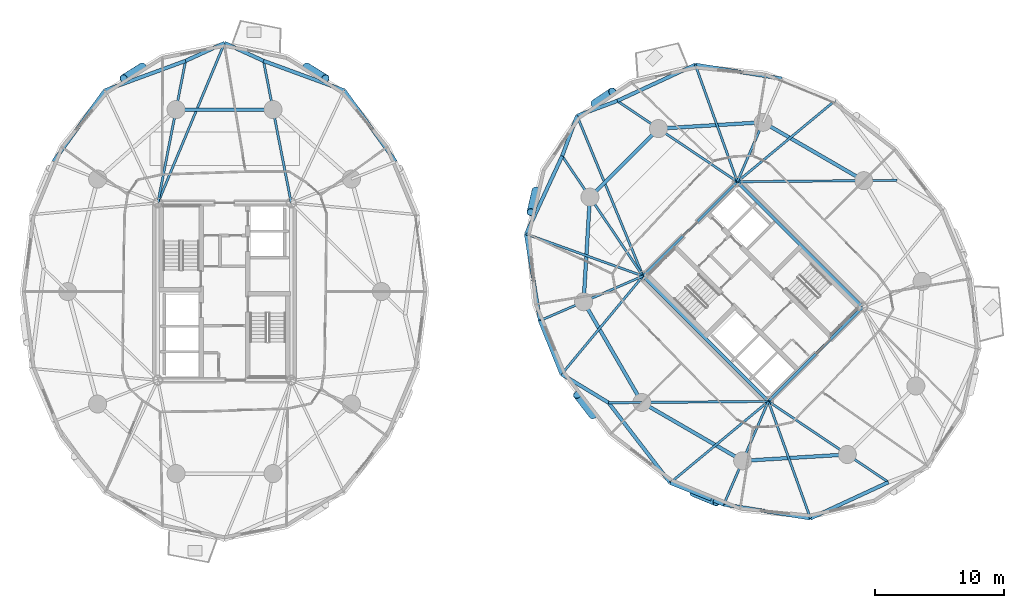
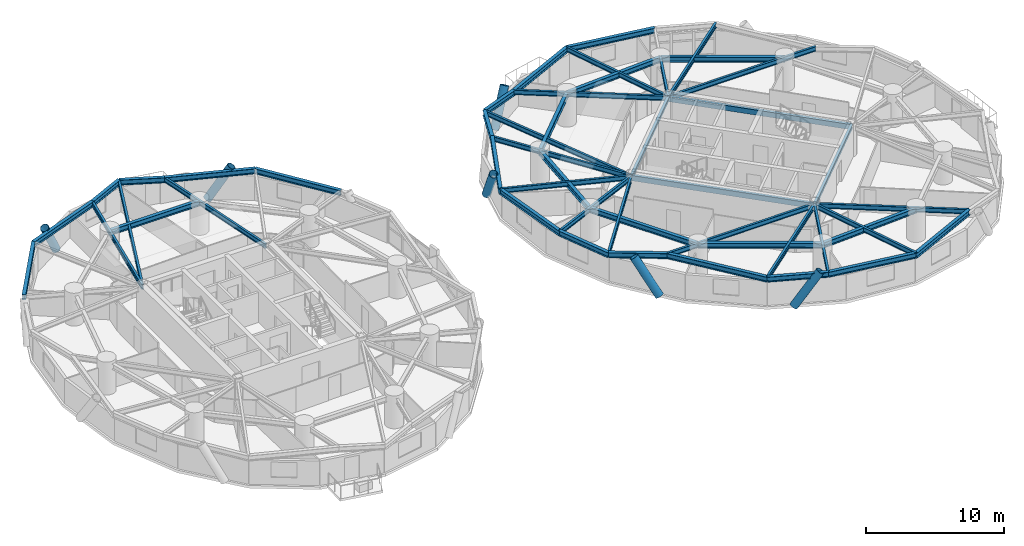
# One storey, part 5 of 17: 49 beams, 6 members.
"""IFC4 building model written with IfcOpenShell, lengths in metres."""

from ifc_helpers import new_model, si_unit, direction, frame, origin, origin_2d, place, context, subcontext, project, spatial, hollow_rectangle, hollow_circle, i_section, extrude, material, material_profile, profile_set, type_object, element, save


model = new_model("IFC4")

# Units and contexts
model_context = context("Model", 3, precision=1e-05, world=origin(), true_north=direction((0.0, 1.0)))
body_context = subcontext(model_context, "Body", "Model", "MODEL_VIEW")
ifc_project = project(units=[si_unit("LENGTHUNIT", "METRE"), si_unit("AREAUNIT", "SQUARE_METRE"), si_unit("VOLUMEUNIT", "CUBIC_METRE"), si_unit("PLANEANGLEUNIT", "RADIAN"), si_unit("MASSUNIT", "GRAM", prefix="KILO")], contexts=[model_context])

# Site, building, storey
site_placement = place(None, origin())
site = spatial("IfcSite", under=ifc_project, at=site_placement, CompositionType="ELEMENT")
building_placement = place(site_placement, origin())
building = spatial("IfcBuilding", under=site, at=building_placement, Name="Cununo Teusaquillo Station Towers", CompositionType="ELEMENT")
storey_placement = place(building_placement, frame((0.0, 0.0, 96.340087890625)))
storey = spatial("IfcBuildingStorey", under=building, at=storey_placement, Name="L30", CompositionType="ELEMENT", Elevation=96.340087890625)

# Beams
ifc_material_1 = material(Name="Steel EN 10025-2 S355J2", Category="steel")
ifc_material_profile_1 = material_profile(ifc_material_1, hollow_rectangle(XDim=0.25, YDim=0.449951171875, WallThickness=0.01611328125, at=origin_2d()), Name="RHS 450x250x16")
ifc_profile_set_1 = profile_set([ifc_material_profile_1], Name="Steel EN 10025-2 S355J2")
beam_type_1 = type_object("IfcBeamType", Name="BM-COUP-1", PredefinedType="USERDEFINED", material=ifc_profile_set_1)
for number, where, z_axis, x_axis, name in (
    (1, (58.70556640625, 15.975830078125, 2.44482421875), (-0.707106781187, 0.707106781187, 0.0), (-0.707106781187, -0.707106781187, 0.0), "L30 Tower B Core Beam 1"),
    (2, (66.024169921875, 23.29443359375, 2.44482421875), (-0.707106781187, 0.707106781187, 0.0), (-0.707106781187, -0.707106781187, 0.0), "L30 Tower B Core Beam 2"),
):
    element("IfcBeam", number, at=place(storey_placement, frame(where, z_axis=z_axis, x_axis=x_axis)), inside=storey, type_object=beam_type_1, Name=name, ObjectType="COUPLING BEAM", PredefinedType="USERDEFINED", context=body_context, shape_type="SweptSolid", body=[
        extrude(hollow_rectangle(XDim=0.25, YDim=0.449951171875, WallThickness=0.01611328125, at=origin_2d()), origin(), (0.0, 0.0, 1.0), 13.760009765625),
    ])
ifc_material_2 = material(Name="Steel ASTM A572 Grade 50", Category="steel")
ifc_material_profile_2 = material_profile(ifc_material_2, i_section(OverallWidth=0.180908203125, OverallDepth=0.4169921875, WebThickness=0.010986328125, FlangeThickness=0.018310546875, FilletRadius=0.012939453125, at=origin_2d()), Name="W16X57")
ifc_profile_set_2 = profile_set([ifc_material_profile_2], Name="Steel ASTM A572 Grade 50")
beam_type_2 = type_object("IfcBeamType", Name="BM-JOIST-1", PredefinedType="JOIST", material=ifc_profile_set_2)
beam_1_placement = place(storey_placement, frame((11.324951171875, 31.3798828125, 2.46142578125), z_axis=(0.38487837995, 0.922967297713, 0.0), x_axis=(-0.922967297713, 0.38487837995, 0.0)))
element("IfcBeam", 3, at=beam_1_placement, inside=storey, type_object=beam_type_2, Name="L30 Tower A Radial Spandrel Joist V05", PredefinedType="JOIST", context=body_context, shape_type="SweptSolid", body=[
    extrude(i_section(OverallWidth=0.180908203125, OverallDepth=0.4169921875, WebThickness=0.010986328125, FlangeThickness=0.018310546875, FilletRadius=0.012939453125, at=origin_2d()), origin(), (0.0, 0.0, 1.0), 13.446044921875),
])
beam_2_placement = place(storey_placement, frame((56.29443359375, 33.024169921875, 2.46142578125), z_axis=(0.769727799615, 0.638372238196, 0.0), x_axis=(-0.638372238196, 0.769727799615, 0.0)))
element("IfcBeam", 4, at=beam_2_placement, inside=storey, type_object=beam_type_2, Name="L30 Tower B Radial Spandrel Joist V01", PredefinedType="JOIST", context=body_context, shape_type="SweptSolid", body=[
    extrude(i_section(OverallWidth=0.180908203125, OverallDepth=0.4169921875, WebThickness=0.010986328125, FlangeThickness=0.018310546875, FilletRadius=0.012939453125, at=origin_2d()), origin(), (0.0, 0.0, 1.0), 9.895263671875),
])
beam_3_placement = place(storey_placement, frame((56.29443359375, 33.024169921875, 2.46142578125), z_axis=(-0.338176312038, 0.941082771055, 0.0), x_axis=(-0.941082771055, -0.338176312038, 0.0)))
element("IfcBeam", 5, at=beam_3_placement, inside=storey, type_object=beam_type_2, Name="L30 Tower B Radial Spandrel Joist V03", PredefinedType="JOIST", context=body_context, shape_type="SweptSolid", body=[
    extrude(i_section(OverallWidth=0.180908203125, OverallDepth=0.4169921875, WebThickness=0.010986328125, FlangeThickness=0.018310546875, FilletRadius=0.012939453125, at=origin_2d()), origin(), (0.0, 0.0, 1.0), 9.646484375),
])
beam_4_placement = place(storey_placement, frame((48.975830078125, 25.70556640625, 2.46142578125), z_axis=(-0.380485864505, 0.924786735908, 0.0), x_axis=(-0.924786735908, -0.380485864505, 0.0)))
element("IfcBeam", 6, at=beam_4_placement, inside=storey, type_object=beam_type_2, Name="L30 Tower B Radial Spandrel Joist V05", PredefinedType="JOIST", context=body_context, shape_type="SweptSolid", body=[
    extrude(i_section(OverallWidth=0.180908203125, OverallDepth=0.4169921875, WebThickness=0.010986328125, FlangeThickness=0.018310546875, FilletRadius=0.012939453125, at=origin_2d()), origin(), (0.0, 0.0, 1.0), 13.44580078125),
])
beam_5_placement = place(storey_placement, frame((48.975830078125, 25.70556640625, 2.46142578125), z_axis=(-0.941082771055, 0.338176312038, 0.0), x_axis=(-0.338176312038, -0.941082771055, 0.0)))
element("IfcBeam", 7, at=beam_5_placement, inside=storey, type_object=beam_type_2, Name="L30 Tower B Radial Spandrel Joist V07", PredefinedType="JOIST", context=body_context, shape_type="SweptSolid", body=[
    extrude(i_section(OverallWidth=0.180908203125, OverallDepth=0.4169921875, WebThickness=0.010986328125, FlangeThickness=0.018310546875, FilletRadius=0.012939453125, at=origin_2d()), origin(), (0.0, 0.0, 1.0), 9.646484375),
])
for number, where, z_axis, x_axis, name in (
    (8, (48.975830078125, 25.70556640625, 2.46142578125), (-0.638372238196, -0.769727799615, 0.0), (0.769727799615, -0.638372238196, 0.0), "L30 Tower B Radial Spandrel Joist V09"),
    (9, (58.70556640625, 15.975830078125, 2.46142578125), (-0.769727799615, -0.638372238196, 0.0), (0.638372238196, -0.769727799615, 0.0), "L30 Tower B Radial Spandrel Joist V11"),
):
    element("IfcBeam", number, at=place(storey_placement, frame(where, z_axis=z_axis, x_axis=x_axis)), inside=storey, type_object=beam_type_2, Name=name, PredefinedType="JOIST", context=body_context, shape_type="SweptSolid", body=[
        extrude(i_section(OverallWidth=0.180908203125, OverallDepth=0.4169921875, WebThickness=0.010986328125, FlangeThickness=0.018310546875, FilletRadius=0.012939453125, at=origin_2d()), origin(), (0.0, 0.0, 1.0), 9.895263671875),
    ])
beam_6_placement = place(storey_placement, frame((58.70556640625, 15.975830078125, 2.46142578125), z_axis=(0.338176312038, -0.941082771055, 0.0), x_axis=(0.941082771055, 0.338176312038, 0.0)))
element("IfcBeam", 10, at=beam_6_placement, inside=storey, type_object=beam_type_2, Name="L30 Tower B Radial Spandrel Joist V13", PredefinedType="JOIST", context=body_context, shape_type="SweptSolid", body=[
    extrude(i_section(OverallWidth=0.180908203125, OverallDepth=0.4169921875, WebThickness=0.010986328125, FlangeThickness=0.018310546875, FilletRadius=0.012939453125, at=origin_2d()), origin(), (0.0, 0.0, 1.0), 9.646484375),
])
ifc_material_3 = material(Name="Steel ASTM A572 Grade 50", Category="steel")
ifc_material_profile_3 = material_profile(ifc_material_3, i_section(OverallWidth=0.2041015625, OverallDepth=0.35009765625, WebThickness=0.008544921875, FlangeThickness=0.01513671875, FilletRadius=0.011962890625, at=origin_2d()), Name="W14X48")
ifc_profile_set_3 = profile_set([ifc_material_profile_3], Name="Steel ASTM A572 Grade 50")
beam_type_3 = type_object("IfcBeamType", Name="BM-LINTEL-1", PredefinedType="LINTEL", material=ifc_profile_set_3)
for number, where, z_axis, x_axis, name in (
    (11, (58.70556640625, 15.975830078125, 2.494873046875), (0.707106781187, 0.707106781187, 0.0), (-0.707106781187, 0.707106781187, 0.0), "L30 Tower B Core Beam 3"),
    (12, (48.975830078125, 25.70556640625, 2.494873046875), (0.707106781187, 0.707106781187, 0.0), (-0.707106781187, 0.707106781187, 0.0), "L30 Tower B Core Beam 4"),
):
    element("IfcBeam", number, at=place(storey_placement, frame(where, z_axis=z_axis, x_axis=x_axis)), inside=storey, type_object=beam_type_3, Name=name, PredefinedType="LINTEL", context=body_context, shape_type="SweptSolid", body=[
        extrude(i_section(OverallWidth=0.2041015625, OverallDepth=0.35009765625, WebThickness=0.008544921875, FlangeThickness=0.01513671875, FilletRadius=0.011962890625, at=origin_2d()), origin(), (0.0, 0.0, 1.0), 10.35009765625),
    ])
ifc_material_4 = material(Name="Steel ASTM A572 Grade 50", Category="steel")
ifc_material_profile_4 = material_profile(ifc_material_4, i_section(OverallWidth=0.180908203125, OverallDepth=0.4169921875, WebThickness=0.010986328125, FlangeThickness=0.018310546875, FilletRadius=0.012939453125, at=origin_2d()), Name="W16X57")
ifc_profile_set_4 = profile_set([ifc_material_profile_4], Name="Steel ASTM A572 Grade 50")
beam_type_4 = type_object("IfcBeamType", Name="BM-RAD-G2", PredefinedType="BEAM", material=ifc_profile_set_4)
for number, where, z_axis, x_axis, name in (
    (13, (21.675048828125, 31.3798828125, 2.46142578125), (-0.191552755713, 0.981482318628, 0.0), (-0.981482318628, -0.191552755713, 0.0), "L30 Tower A Continuous Overhanging Radial Girder 03"),
    (14, (11.324951171875, 31.3798828125, 2.46142578125), (0.191552755713, 0.981482318628, 0.0), (-0.981482318628, 0.191552755713, 0.0), "L30 Tower A Continuous Overhanging Radial Girder 04"),
):
    element("IfcBeam", number, at=place(storey_placement, frame(where, z_axis=z_axis, x_axis=x_axis)), inside=storey, type_object=beam_type_4, Name=name, PredefinedType="BEAM", context=body_context, shape_type="SweptSolid", body=[
        extrude(i_section(OverallWidth=0.180908203125, OverallDepth=0.4169921875, WebThickness=0.010986328125, FlangeThickness=0.018310546875, FilletRadius=0.012939453125, at=origin_2d()), origin(), (0.0, 0.0, 1.0), 11.22998046875),
    ])
beam_7_placement = place(storey_placement, frame((56.29443359375, 33.024169921875, 2.46142578125), z_axis=(0.999964331255, 0.008446077024, 0.0), x_axis=(-0.008446077024, 0.999964331255, 0.0)))
element("IfcBeam", 15, at=beam_7_placement, inside=storey, type_object=beam_type_4, Name="L30 Tower B Continuous Overhanging Radial Girder 01", PredefinedType="BEAM", context=body_context, shape_type="SweptSolid", body=[
    extrude(i_section(OverallWidth=0.180908203125, OverallDepth=0.4169921875, WebThickness=0.010986328125, FlangeThickness=0.018310546875, FilletRadius=0.012939453125, at=origin_2d()), origin(), (0.0, 0.0, 1.0), 12.400634765625),
])
beam_8_placement = place(storey_placement, frame((56.29443359375, 33.024169921875, 2.46142578125), z_axis=(0.397346986387, 0.917668443616, 0.0), x_axis=(-0.917668443616, 0.397346986387, 0.0)))
element("IfcBeam", 16, at=beam_8_placement, inside=storey, type_object=beam_type_4, Name="L30 Tower B Radial Girder 02A", PredefinedType="BEAM", context=body_context, shape_type="SweptSolid", body=[
    extrude(i_section(OverallWidth=0.180908203125, OverallDepth=0.4169921875, WebThickness=0.010986328125, FlangeThickness=0.018310546875, FilletRadius=0.012939453125, at=origin_2d()), origin(), (0.0, 0.0, 1.0), 5.02490234375),
])
for number, where, z_axis, x_axis, name in (
    (17, (56.29443359375, 33.024169921875, 2.46142578125), (-0.82945583878, 0.558572297481, 0.0), (-0.558572297481, -0.82945583878, 0.0), "L30 Tower B Continuous Overhanging Radial Girder 03"),
    (18, (48.975830078125, 25.70556640625, 2.46142578125), (-0.558572297481, 0.82945583878, 0.0), (-0.82945583878, -0.558572297481, 0.0), "L30 Tower B Continuous Overhanging Radial Girder 04"),
):
    element("IfcBeam", number, at=place(storey_placement, frame(where, z_axis=z_axis, x_axis=x_axis)), inside=storey, type_object=beam_type_4, Name=name, PredefinedType="BEAM", context=body_context, shape_type="SweptSolid", body=[
        extrude(i_section(OverallWidth=0.180908203125, OverallDepth=0.4169921875, WebThickness=0.010986328125, FlangeThickness=0.018310546875, FilletRadius=0.012939453125, at=origin_2d()), origin(), (0.0, 0.0, 1.0), 11.22998046875),
    ])
beam_9_placement = place(storey_placement, frame((48.975830078125, 25.70556640625, 2.46142578125), z_axis=(-0.917654733344, -0.397378648609, 0.0), x_axis=(0.397378648609, -0.917654733344, 0.0)))
element("IfcBeam", 19, at=beam_9_placement, inside=storey, type_object=beam_type_4, Name="L30 Tower B Continuous Overhanging Radial Girder 05", PredefinedType="BEAM", context=body_context, shape_type="SweptSolid", body=[
    extrude(i_section(OverallWidth=0.180908203125, OverallDepth=0.4169921875, WebThickness=0.010986328125, FlangeThickness=0.018310546875, FilletRadius=0.012939453125, at=origin_2d()), origin(), (0.0, 0.0, 1.0), 8.71484375),
])
beam_10_placement = place(storey_placement, frame((58.70556640625, 15.975830078125, 2.46142578125), z_axis=(-0.999964431382, -0.008434214327, 0.0), x_axis=(0.008434214327, -0.999964431382, 0.0)))
element("IfcBeam", 20, at=beam_10_placement, inside=storey, type_object=beam_type_4, Name="L30 Tower B Radial Girder 06A", PredefinedType="BEAM", context=body_context, shape_type="SweptSolid", body=[
    extrude(i_section(OverallWidth=0.180908203125, OverallDepth=0.4169921875, WebThickness=0.010986328125, FlangeThickness=0.018310546875, FilletRadius=0.012939453125, at=origin_2d()), origin(), (0.0, 0.0, 1.0), 9.812744140625),
])
beam_11_placement = place(storey_placement, frame((48.89306640625, 15.89306640625, 2.46142578125), z_axis=(-0.999963950292, -0.008491060999, 0.0), x_axis=(0.008491060999, -0.999963950292, 0.0)))
element("IfcBeam", 21, at=beam_11_placement, inside=storey, type_object=beam_type_4, Name="L30 Tower B Perimeter Overhang Girder 06B", PredefinedType="BEAM", context=body_context, shape_type="SweptSolid", body=[
    extrude(i_section(OverallWidth=0.180908203125, OverallDepth=0.4169921875, WebThickness=0.010986328125, FlangeThickness=0.018310546875, FilletRadius=0.012939453125, at=origin_2d()), origin(), (0.0, 0.0, 1.0), 2.587646484375),
])
beam_12_placement = place(storey_placement, frame((58.70556640625, 15.975830078125, 2.46142578125), z_axis=(-0.397378648609, -0.917654733344, 0.0), x_axis=(0.917654733344, -0.397378648609, 0.0)))
element("IfcBeam", 22, at=beam_12_placement, inside=storey, type_object=beam_type_4, Name="L30 Tower B Continuous Overhanging Radial Girder 07", PredefinedType="BEAM", context=body_context, shape_type="SweptSolid", body=[
    extrude(i_section(OverallWidth=0.180908203125, OverallDepth=0.4169921875, WebThickness=0.010986328125, FlangeThickness=0.018310546875, FilletRadius=0.012939453125, at=origin_2d()), origin(), (0.0, 0.0, 1.0), 8.71484375),
])
beam_13_placement = place(storey_placement, frame((58.70556640625, 15.975830078125, 2.46142578125), z_axis=(0.82945583878, -0.558572297481, 0.0), x_axis=(0.558572297481, 0.82945583878, 0.0)))
element("IfcBeam", 23, at=beam_13_placement, inside=storey, type_object=beam_type_4, Name="L30 Tower B Continuous Overhanging Radial Girder 08", PredefinedType="BEAM", context=body_context, shape_type="SweptSolid", body=[
    extrude(i_section(OverallWidth=0.180908203125, OverallDepth=0.4169921875, WebThickness=0.010986328125, FlangeThickness=0.018310546875, FilletRadius=0.012939453125, at=origin_2d()), origin(), (0.0, 0.0, 1.0), 11.22998046875),
])
ifc_material_5 = material(Name="Steel ASTM A572 Grade 50", Category="steel")
ifc_material_profile_5 = material_profile(ifc_material_5, i_section(OverallWidth=0.280029296875, OverallDepth=0.462890625, WebThickness=0.0107421875, FlangeThickness=0.017333984375, FilletRadius=0.013916015625, at=origin_2d()), Name="W18X76")
ifc_profile_set_5 = profile_set([ifc_material_profile_5], Name="Steel ASTM A572 Grade 50")
beam_type_5 = type_object("IfcBeamType", Name="BM-RING-Z2", PredefinedType="SPANDREL", material=ifc_profile_set_5)
beam_14_placement = place(storey_placement, frame((20.261474609375, 38.623291015625, 2.4384765625), z_axis=(-1.0, 0.0, 0.0), x_axis=(0.0, -1.0, 0.0)))
element("IfcBeam", 24, at=beam_14_placement, inside=storey, type_object=beam_type_5, Name="L30 Tower A Structural Column Ring Girder 03", PredefinedType="SPANDREL", context=body_context, shape_type="SweptSolid", body=[
    extrude(i_section(OverallWidth=0.280029296875, OverallDepth=0.462890625, WebThickness=0.0107421875, FlangeThickness=0.017333984375, FilletRadius=0.013916015625, at=origin_2d()), origin(), (0.0, 0.0, 1.0), 7.52294921875),
])
beam_15_placement = place(storey_placement, frame((29.77880859375, 34.586181640625, 2.4384765625), z_axis=(-0.58594455724, 0.810351143543, 0.0), x_axis=(-0.810351143543, -0.58594455724, 0.0)))
element("IfcBeam", 25, at=beam_15_placement, inside=storey, type_object=beam_type_5, Name="L30 Tower A Spandrel Ring Beam 03", PredefinedType="SPANDREL", context=body_context, shape_type="SweptSolid", body=[
    extrude(i_section(OverallWidth=0.280029296875, OverallDepth=0.462890625, WebThickness=0.0107421875, FlangeThickness=0.017333984375, FilletRadius=0.013916015625, at=origin_2d()), origin(), (0.0, 0.0, 1.0), 6.8115234375),
])
beam_16_placement = place(storey_placement, frame((25.78759765625, 40.10595703125, 2.4384765625), z_axis=(-0.938914161016, 0.34415141761, 0.0), x_axis=(-0.34415141761, -0.938914161016, 0.0)))
element("IfcBeam", 26, at=beam_16_placement, inside=storey, type_object=beam_type_5, Name="L30 Tower A Spandrel Ring Beam 04", PredefinedType="SPANDREL", context=body_context, shape_type="SweptSolid", body=[
    extrude(i_section(OverallWidth=0.280029296875, OverallDepth=0.462890625, WebThickness=0.0107421875, FlangeThickness=0.017333984375, FilletRadius=0.013916015625, at=origin_2d()), origin(), (0.0, 0.0, 1.0), 6.671142578125),
])
for number, where, z_axis, x_axis, name in (
    (27, (19.52392578125, 42.40185546875, 2.4384765625), (-0.908812215281, 0.417205413862, 0.0), (-0.417205413862, -0.908812215281, 0.0), "L30 Tower A Spandrel Ring Beam 05"),
    (28, (16.5, 43.7900390625, 2.4384765625), (-0.908812215281, -0.417205413862, 0.0), (0.417205413862, -0.908812215281, 0.0), "L30 Tower A Spandrel Ring Beam 06"),
):
    element("IfcBeam", number, at=place(storey_placement, frame(where, z_axis=z_axis, x_axis=x_axis)), inside=storey, type_object=beam_type_5, Name=name, PredefinedType="SPANDREL", context=body_context, shape_type="SweptSolid", body=[
        extrude(i_section(OverallWidth=0.280029296875, OverallDepth=0.462890625, WebThickness=0.0107421875, FlangeThickness=0.017333984375, FilletRadius=0.013916015625, at=origin_2d()), origin(), (0.0, 0.0, 1.0), 3.327392578125),
    ])
beam_17_placement = place(storey_placement, frame((13.47607421875, 42.40185546875, 2.4384765625), z_axis=(-0.938914161016, -0.34415141761, 0.0), x_axis=(0.34415141761, -0.938914161016, 0.0)))
element("IfcBeam", 29, at=beam_17_placement, inside=storey, type_object=beam_type_5, Name="L30 Tower A Spandrel Ring Beam 07", PredefinedType="SPANDREL", context=body_context, shape_type="SweptSolid", body=[
    extrude(i_section(OverallWidth=0.280029296875, OverallDepth=0.462890625, WebThickness=0.0107421875, FlangeThickness=0.017333984375, FilletRadius=0.013916015625, at=origin_2d()), origin(), (0.0, 0.0, 1.0), 6.671142578125),
])
beam_18_placement = place(storey_placement, frame((7.21240234375, 40.10595703125, 2.4384765625), z_axis=(-0.58594455724, -0.810351143543, 0.0), x_axis=(0.810351143543, -0.58594455724, 0.0)))
element("IfcBeam", 30, at=beam_18_placement, inside=storey, type_object=beam_type_5, Name="L30 Tower A Spandrel Ring Beam 08", PredefinedType="SPANDREL", context=body_context, shape_type="SweptSolid", body=[
    extrude(i_section(OverallWidth=0.280029296875, OverallDepth=0.462890625, WebThickness=0.0107421875, FlangeThickness=0.017333984375, FilletRadius=0.013916015625, at=origin_2d()), origin(), (0.0, 0.0, 1.0), 6.8115234375),
])
beam_19_placement = place(storey_placement, frame((66.10693359375, 33.10693359375, 2.4384765625), z_axis=(-0.865267103202, 0.501311121078, 0.0), x_axis=(-0.501311121078, -0.865267103202, 0.0)))
element("IfcBeam", 31, at=beam_19_placement, inside=storey, type_object=beam_type_5, Name="L30 Tower B Structural Column Ring Girder 01", PredefinedType="SPANDREL", context=body_context, shape_type="SweptSolid", body=[
    extrude(i_section(OverallWidth=0.280029296875, OverallDepth=0.462890625, WebThickness=0.0107421875, FlangeThickness=0.017333984375, FilletRadius=0.013916015625, at=origin_2d()), origin(), (0.0, 0.0, 1.0), 9.032958984375),
])
beam_20_placement = place(storey_placement, frame((58.291015625, 37.63525390625, 2.4384765625), z_axis=(-0.998190567048, -0.06012979176, 0.0), x_axis=(0.06012979176, -0.998190567048, 0.0)))
element("IfcBeam", 32, at=beam_20_placement, inside=storey, type_object=beam_type_5, Name="L30 Tower B Structural Column Ring Girder 02", PredefinedType="SPANDREL", context=body_context, shape_type="SweptSolid", body=[
    extrude(i_section(OverallWidth=0.280029296875, OverallDepth=0.462890625, WebThickness=0.0107421875, FlangeThickness=0.017333984375, FilletRadius=0.013916015625, at=origin_2d()), origin(), (0.0, 0.0, 1.0), 8.132568359375),
])
beam_21_placement = place(storey_placement, frame((50.173095703125, 37.146240234375, 2.4384765625), z_axis=(-0.707106781187, -0.707106781187, 0.0), x_axis=(0.707106781187, -0.707106781187, 0.0)))
element("IfcBeam", 33, at=beam_21_placement, inside=storey, type_object=beam_type_5, Name="L30 Tower B Structural Column Ring Girder 03", PredefinedType="SPANDREL", context=body_context, shape_type="SweptSolid", body=[
    extrude(i_section(OverallWidth=0.280029296875, OverallDepth=0.462890625, WebThickness=0.0107421875, FlangeThickness=0.017333984375, FilletRadius=0.013916015625, at=origin_2d()), origin(), (0.0, 0.0, 1.0), 7.522705078125),
])
beam_22_placement = place(storey_placement, frame((44.853759765625, 31.826904296875, 2.4384765625), z_axis=(-0.06012979176, -0.998190567048, 0.0), x_axis=(0.998190567048, -0.06012979176, 0.0)))
element("IfcBeam", 34, at=beam_22_placement, inside=storey, type_object=beam_type_5, Name="L30 Tower B Structural Column Ring Girder 04", PredefinedType="SPANDREL", context=body_context, shape_type="SweptSolid", body=[
    extrude(i_section(OverallWidth=0.280029296875, OverallDepth=0.462890625, WebThickness=0.0107421875, FlangeThickness=0.017333984375, FilletRadius=0.013916015625, at=origin_2d()), origin(), (0.0, 0.0, 1.0), 8.132568359375),
])
for number, where, z_axis, x_axis, name in (
    (35, (44.36474609375, 23.708984375, 2.4384765625), (0.501311121078, -0.865267103202, 0.0), (0.865267103202, 0.501311121078, 0.0), "L30 Tower B Structural Column Ring Girder 05"),
    (36, (48.89306640625, 15.89306640625, 2.4384765625), (0.865267103202, -0.501311121078, 0.0), (0.501311121078, 0.865267103202, 0.0), "L30 Tower B Structural Column Ring Girder 06"),
):
    element("IfcBeam", number, at=place(storey_placement, frame(where, z_axis=z_axis, x_axis=x_axis)), inside=storey, type_object=beam_type_5, Name=name, PredefinedType="SPANDREL", context=body_context, shape_type="SweptSolid", body=[
        extrude(i_section(OverallWidth=0.280029296875, OverallDepth=0.462890625, WebThickness=0.0107421875, FlangeThickness=0.017333984375, FilletRadius=0.013916015625, at=origin_2d()), origin(), (0.0, 0.0, 1.0), 9.032958984375),
    ])
beam_23_placement = place(storey_placement, frame((56.708984375, 11.36474609375, 2.4384765625), z_axis=(0.998190567048, 0.06012979176, 0.0), x_axis=(-0.06012979176, 0.998190567048, 0.0)))
element("IfcBeam", 37, at=beam_23_placement, inside=storey, type_object=beam_type_5, Name="L30 Tower B Structural Column Ring Girder 07", PredefinedType="SPANDREL", context=body_context, shape_type="SweptSolid", body=[
    extrude(i_section(OverallWidth=0.280029296875, OverallDepth=0.462890625, WebThickness=0.0107421875, FlangeThickness=0.017333984375, FilletRadius=0.013916015625, at=origin_2d()), origin(), (0.0, 0.0, 1.0), 8.132568359375),
])
beam_24_placement = place(storey_placement, frame((59.757568359375, 41.021484375, 2.4384765625), z_axis=(-0.987331474246, 0.158671232312, 0.0), x_axis=(-0.158671232312, -0.987331474246, 0.0)))
element("IfcBeam", 38, at=beam_24_placement, inside=storey, type_object=beam_type_5, Name="L30 Tower B Spandrel Ring Beam 03", PredefinedType="SPANDREL", context=body_context, shape_type="SweptSolid", body=[
    extrude(i_section(OverallWidth=0.280029296875, OverallDepth=0.462890625, WebThickness=0.0107421875, FlangeThickness=0.017333984375, FilletRadius=0.013916015625, at=origin_2d()), origin(), (0.0, 0.0, 1.0), 6.8115234375),
])
beam_25_placement = place(storey_placement, frame((53.0322265625, 42.102294921875, 2.4384765625), z_axis=(-0.907275870354, -0.420535961689, 0.0), x_axis=(0.420535961689, -0.907275870354, 0.0)))
element("IfcBeam", 39, at=beam_25_placement, inside=storey, type_object=beam_type_5, Name="L30 Tower B Spandrel Ring Beam 04", PredefinedType="SPANDREL", context=body_context, shape_type="SweptSolid", body=[
    extrude(i_section(OverallWidth=0.280029296875, OverallDepth=0.462890625, WebThickness=0.0107421875, FlangeThickness=0.017333984375, FilletRadius=0.013916015625, at=origin_2d()), origin(), (0.0, 0.0, 1.0), 6.671142578125),
])
for number, where, z_axis, x_axis, name in (
    (40, (46.979736328125, 39.296875, 2.4384765625), (-0.937628334414, -0.347639333943, 0.0), (0.347639333943, -0.937628334414, 0.0), "L30 Tower B Spandrel Ring Beam 05"),
    (41, (43.85986328125, 38.14013671875, 2.4384765625), (-0.347639333943, -0.937628334414, 0.0), (0.937628334414, -0.347639333943, 0.0), "L30 Tower B Spandrel Ring Beam 06"),
):
    element("IfcBeam", number, at=place(storey_placement, frame(where, z_axis=z_axis, x_axis=x_axis)), inside=storey, type_object=beam_type_5, Name=name, PredefinedType="SPANDREL", context=body_context, shape_type="SweptSolid", body=[
        extrude(i_section(OverallWidth=0.280029296875, OverallDepth=0.462890625, WebThickness=0.0107421875, FlangeThickness=0.017333984375, FilletRadius=0.013916015625, at=origin_2d()), origin(), (0.0, 0.0, 1.0), 3.327392578125),
    ])
beam_26_placement = place(storey_placement, frame((42.703125, 35.020263671875, 2.4384765625), z_axis=(-0.420535961689, -0.907275870354, 0.0), x_axis=(0.907275870354, -0.420535961689, 0.0)))
element("IfcBeam", 42, at=beam_26_placement, inside=storey, type_object=beam_type_5, Name="L30 Tower B Spandrel Ring Beam 07", PredefinedType="SPANDREL", context=body_context, shape_type="SweptSolid", body=[
    extrude(i_section(OverallWidth=0.280029296875, OverallDepth=0.462890625, WebThickness=0.0107421875, FlangeThickness=0.017333984375, FilletRadius=0.013916015625, at=origin_2d()), origin(), (0.0, 0.0, 1.0), 6.671142578125),
])
beam_27_placement = place(storey_placement, frame((39.897705078125, 28.9677734375, 2.4384765625), z_axis=(0.158671232312, -0.987331474246, 0.0), x_axis=(0.987331474246, 0.158671232312, 0.0)))
element("IfcBeam", 43, at=beam_27_placement, inside=storey, type_object=beam_type_5, Name="L30 Tower B Spandrel Ring Beam 08", PredefinedType="SPANDREL", context=body_context, shape_type="SweptSolid", body=[
    extrude(i_section(OverallWidth=0.280029296875, OverallDepth=0.462890625, WebThickness=0.0107421875, FlangeThickness=0.017333984375, FilletRadius=0.013916015625, at=origin_2d()), origin(), (0.0, 0.0, 1.0), 6.8115234375),
])
beam_28_placement = place(storey_placement, frame((40.978515625, 22.242431640625, 2.4384765625), z_axis=(0.375042266631, -0.927007712072, 0.0), x_axis=(0.927007712072, 0.375042266631, 0.0)))
element("IfcBeam", 44, at=beam_28_placement, inside=storey, type_object=beam_type_5, Name="L30 Tower B Spandrel Ring Beam 09", PredefinedType="SPANDREL", context=body_context, shape_type="SweptSolid", body=[
    extrude(i_section(OverallWidth=0.280029296875, OverallDepth=0.462890625, WebThickness=0.0107421875, FlangeThickness=0.017333984375, FilletRadius=0.013916015625, at=origin_2d()), origin(), (0.0, 0.0, 1.0), 4.480712890625),
])
beam_29_placement = place(storey_placement, frame((42.658935546875, 18.0888671875, 2.4384765625), z_axis=(0.854388492444, -0.519634779416, 0.0), x_axis=(0.519634779416, 0.854388492444, 0.0)))
element("IfcBeam", 45, at=beam_29_placement, inside=storey, type_object=beam_type_5, Name="L30 Tower B Spandrel Ring Beam 10", PredefinedType="SPANDREL", context=body_context, shape_type="SweptSolid", body=[
    extrude(i_section(OverallWidth=0.280029296875, OverallDepth=0.462890625, WebThickness=0.0107421875, FlangeThickness=0.017333984375, FilletRadius=0.013916015625, at=origin_2d()), origin(), (0.0, 0.0, 1.0), 4.26806640625),
])
beam_30_placement = place(storey_placement, frame((46.305419921875, 15.87109375, 2.4384765625), z_axis=(0.610100441726, -0.792324082056, 0.0), x_axis=(0.792324082056, 0.610100441726, 0.0)))
element("IfcBeam", 46, at=beam_30_placement, inside=storey, type_object=beam_type_5, Name="L30 Tower B Spandrel Ring Beam 11", PredefinedType="SPANDREL", context=body_context, shape_type="SweptSolid", body=[
    extrude(i_section(OverallWidth=0.280029296875, OverallDepth=0.462890625, WebThickness=0.0107421875, FlangeThickness=0.017333984375, FilletRadius=0.013916015625, at=origin_2d()), origin(), (0.0, 0.0, 1.0), 7.84033203125),
])
beam_31_placement = place(storey_placement, frame((51.0888671875, 9.658935546875, 2.4384765625), z_axis=(0.927007712072, -0.375042266631, 0.0), x_axis=(0.375042266631, 0.927007712072, 0.0)))
element("IfcBeam", 47, at=beam_31_placement, inside=storey, type_object=beam_type_5, Name="L30 Tower B Spandrel Ring Beam 12", PredefinedType="SPANDREL", context=body_context, shape_type="SweptSolid", body=[
    extrude(i_section(OverallWidth=0.280029296875, OverallDepth=0.462890625, WebThickness=0.0107421875, FlangeThickness=0.017333984375, FilletRadius=0.013916015625, at=origin_2d()), origin(), (0.0, 0.0, 1.0), 4.480712890625),
])
beam_32_placement = place(storey_placement, frame((55.242431640625, 7.978515625, 2.4384765625), z_axis=(0.987331474246, -0.158671232312, 0.0), x_axis=(0.158671232312, 0.987331474246, 0.0)))
element("IfcBeam", 48, at=beam_32_placement, inside=storey, type_object=beam_type_5, Name="L30 Tower B Spandrel Ring Beam 13", PredefinedType="SPANDREL", context=body_context, shape_type="SweptSolid", body=[
    extrude(i_section(OverallWidth=0.280029296875, OverallDepth=0.462890625, WebThickness=0.0107421875, FlangeThickness=0.017333984375, FilletRadius=0.013916015625, at=origin_2d()), origin(), (0.0, 0.0, 1.0), 6.8115234375),
])
beam_33_placement = place(storey_placement, frame((61.9677734375, 6.897705078125, 2.4384765625), z_axis=(0.907275870354, 0.420535961689, 0.0), x_axis=(-0.420535961689, 0.907275870354, 0.0)))
element("IfcBeam", 49, at=beam_33_placement, inside=storey, type_object=beam_type_5, Name="L30 Tower B Spandrel Ring Beam 14", PredefinedType="SPANDREL", context=body_context, shape_type="SweptSolid", body=[
    extrude(i_section(OverallWidth=0.280029296875, OverallDepth=0.462890625, WebThickness=0.0107421875, FlangeThickness=0.017333984375, FilletRadius=0.013916015625, at=origin_2d()), origin(), (0.0, 0.0, 1.0), 6.671142578125),
])

# Members
ifc_material_6 = material(Name="Steel EN 10025-2 S355J2", Category="steel")
ifc_material_profile_6 = material_profile(ifc_material_6, hollow_circle(Radius=0.330078125, WallThickness=0.02490234375, at=origin_2d()), Name="CHS 660x25")
ifc_profile_set_6 = profile_set([ifc_material_profile_6], Name="Steel EN 10025-2 S355J2")
member_type = type_object("IfcMemberType", Name="MBR-DIAG-Z2", PredefinedType="BRACE", material=ifc_profile_set_6)
for number, where, z_axis, x_axis, name in (
    (50, (22.85107421875, 41.9326171875, -0.14013671875), (0.433741137774, -0.269808047292, 0.859693109789), (0.528195574716, 0.849122744278, 0.0), "L30 Tower A Folded-Zigzag Diagrid Tube C03"),
    (51, (10.14892578125, 41.9326171875, -0.14013671875), (-0.433741137774, -0.269808047292, 0.859693109789), (0.528195574716, -0.849122744278, 0.0), "L30 Tower A Folded-Zigzag Diagrid Tube C06"),
):
    element("IfcMember", number, at=place(storey_placement, frame(where, z_axis=z_axis, x_axis=x_axis)), inside=storey, type_object=member_type, Name=name, PredefinedType="BRACE", context=body_context, shape_type="SweptSolid", body=[
        extrude(hollow_circle(Radius=0.330078125, WallThickness=0.02490234375, at=origin_2d()), origin(), (0.0, 0.0, 1.0), 3.385009765625),
    ])
member_1_placement = place(storey_placement, frame((45.2333984375, 39.068603515625, -0.14013671875), z_axis=(0.410046606979, 0.277155057731, 0.868934320924), x_axis=(-0.559991322854, 0.828498472134, 0.0)))
element("IfcMember", 52, at=member_1_placement, inside=storey, type_object=member_type, Name="L30 Tower B Folded-Zigzag Diagrid Tube C04", PredefinedType="BRACE", context=body_context, shape_type="SweptSolid", body=[
    extrude(hollow_circle(Radius=0.330078125, WallThickness=0.02490234375, at=origin_2d()), origin(), (0.0, 0.0, 1.0), 3.34912109375),
])
member_2_placement = place(storey_placement, frame((40.682373046875, 32.335693359375, -0.14013671875), z_axis=(-0.115899426578, -0.497494862811, 0.859689586069), x_axis=(0.973920299704, -0.226890391653, 0.0)))
element("IfcMember", 53, at=member_2_placement, inside=storey, type_object=member_type, Name="L30 Tower B Folded-Zigzag Diagrid Tube C06", PredefinedType="BRACE", context=body_context, shape_type="SweptSolid", body=[
    extrude(hollow_circle(Radius=0.330078125, WallThickness=0.02490234375, at=origin_2d()), origin(), (0.0, 0.0, 1.0), 3.385009765625),
])
member_3_placement = place(storey_placement, frame((45.104248046875, 14.914306640625, -0.14013671875), z_axis=(-0.346044496653, 0.449277419576, 0.823652236442), x_axis=(-0.792243348803, -0.610205273886, 0.0)))
element("IfcMember", 54, at=member_3_placement, inside=storey, type_object=member_type, Name="L30 Tower B Folded-Zigzag Diagrid Tube C09", PredefinedType="BRACE", context=body_context, shape_type="SweptSolid", body=[
    extrude(hollow_circle(Radius=0.330078125, WallThickness=0.02490234375, at=origin_2d()), origin(), (0.0, 0.0, 1.0), 3.533203125),
])
member_4_placement = place(storey_placement, frame((52.885498046875, 8.92041015625, -0.14013671875), z_axis=(0.513432884221, -0.211081064796, 0.831764063593), x_axis=(0.380237656053, 0.924888817599, 0.0)))
element("IfcMember", 55, at=member_4_placement, inside=storey, type_object=member_type, Name="L30 Tower B Folded-Zigzag Diagrid Tube C11", PredefinedType="BRACE", context=body_context, shape_type="SweptSolid", body=[
    extrude(hollow_circle(Radius=0.330078125, WallThickness=0.02490234375, at=origin_2d()), origin(), (0.0, 0.0, 1.0), 3.498779296875),
])

save(model, "model.ifc")
